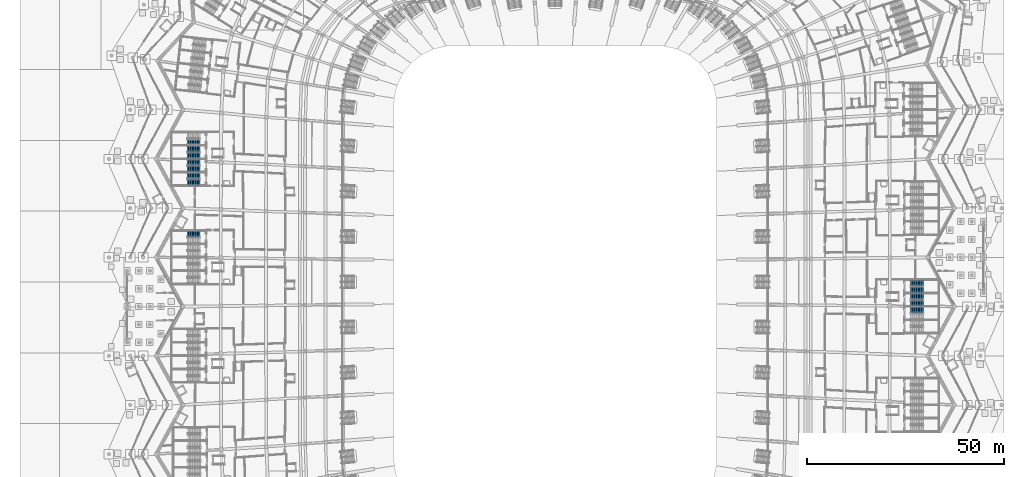
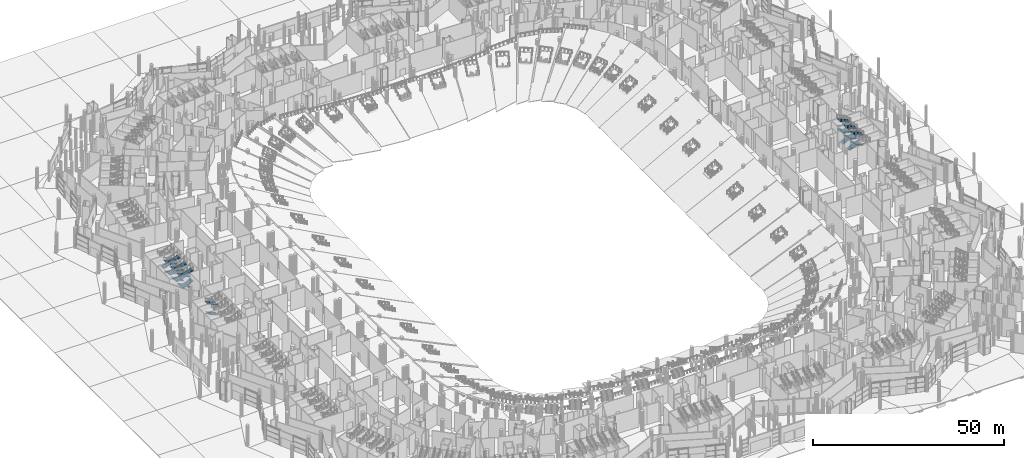
# One storey, part 171 of 255: 25 stair flights, 8 elements without a shape of their own.
"""IFC4 building model written with IfcOpenShell, lengths in metres."""

from ifc_helpers import new_model, si_unit, direction, frame, origin, place, context, subcontext, project, spatial, polyline, outline, extrude, material, type_object, element, aggregate, save


model = new_model("IFC4")

# Units and contexts
model_context = context("Model", 3, precision=1e-05, world=origin(), true_north=direction((0.0, 1.0)))
body_context = subcontext(model_context, "Body", "Model", "MODEL_VIEW")
ifc_project = project(units=[si_unit("LENGTHUNIT", "METRE"), si_unit("AREAUNIT", "SQUARE_METRE"), si_unit("VOLUMEUNIT", "CUBIC_METRE"), si_unit("PLANEANGLEUNIT", "RADIAN"), si_unit("MASSUNIT", "GRAM", prefix="KILO")], contexts=[model_context])

# Site, building, storey
site_placement = place(None, origin())
site = spatial("IfcSite", under=ifc_project, at=site_placement, CompositionType="ELEMENT")
building_placement = place(site_placement, origin())
building = spatial("IfcBuilding", under=site, at=building_placement, Name="Meseta Stadium", CompositionType="ELEMENT")
storey_placement = place(building_placement, origin())
storey = spatial("IfcBuildingStorey", under=building, at=storey_placement, Name="L00", CompositionType="ELEMENT", Elevation=0.0)

# Stair, stair flights
ifc_material_1 = material(Name="Concrete C40/50", Category="concrete")
stair_type = type_object("IfcStairType", Name="Exit stair 4 flights 148 mm risers", PredefinedType="HALF_TURN_STAIR", material=ifc_material_1)
stair_1_placement = place(storey_placement, origin())
stair_1 = element("IfcStair", 1, at=stair_1_placement, inside=storey, type_object=stair_type, Name="ST10 L00", PredefinedType="HALF_TURN_STAIR")
ifc_material_2 = material(Name="Concrete C40/50", Category="concrete")
stair_flight_type = type_object("IfcStairFlightType", Name="Exit stair flight 148 mm risers, 4 per storey", PredefinedType="STRAIGHT", material=ifc_material_2)
stair_flight_1_placement = place(storey_placement, frame((93.5, -7.10009765625, 1.625), z_axis=(0.0, 0.0, 1.0), x_axis=(-1.0, 0.0, 0.0)))
stair_flight_1 = element("IfcStairFlight", 2, at=stair_flight_1_placement, type_object=stair_flight_type, Name="ST10 L00 flight 2", NumberOfRisers=11, NumberOfTreads=10, PredefinedType="STRAIGHT", RiserHeight=0.147727273, TreadLength=0.32, context=body_context, shape_type="SweptSolid", body=[
    extrude(outline(polyline([(0.0, 0.0), (0.0, 0.147705078125), (0.320068359375, 0.147705078125), (0.320068359375, 0.29541015625), (0.639892578125, 0.29541015625), (0.639892578125, 0.443115234375), (0.9599609375, 0.443115234375), (0.9599609375, 0.5908203125), (1.280029296875, 0.5908203125), (1.280029296875, 0.738525390625), (1.60009765625, 0.738525390625), (1.60009765625, 0.886474609375), (1.919921875, 0.886474609375), (1.919921875, 1.0341796875), (2.239990234375, 1.0341796875), (2.239990234375, 1.181884765625), (2.56005859375, 1.181884765625), (2.56005859375, 1.32958984375), (2.8798828125, 1.32958984375), (2.8798828125, 1.477294921875), (3.199951171875, 1.477294921875), (3.199951171875, 1.312255859375), (0.357666015625, 0.0), (0.0, 0.0)])), frame((0.0, 0.75, 0.0), z_axis=(0.0, -1.0, 0.0), x_axis=(1.0, 0.0, 0.0)), (0.0, 0.0, 1.0), 1.5),
])
stair_flight_2_placement = place(storey_placement, frame((93.5, -7.10009765625, 4.875), z_axis=(0.0, 0.0, 1.0), x_axis=(-1.0, 0.0, 0.0)))
stair_flight_2 = element("IfcStairFlight", 3, at=stair_flight_2_placement, type_object=stair_flight_type, Name="ST10 L00 flight 4", NumberOfRisers=11, NumberOfTreads=10, PredefinedType="STRAIGHT", RiserHeight=0.147727273, TreadLength=0.32, context=body_context, shape_type="SweptSolid", body=[
    extrude(outline(polyline([(0.0, 0.0), (0.0, 0.147705078125), (0.320068359375, 0.147705078125), (0.320068359375, 0.29541015625), (0.639892578125, 0.29541015625), (0.639892578125, 0.443115234375), (0.9599609375, 0.443115234375), (0.9599609375, 0.5908203125), (1.280029296875, 0.5908203125), (1.280029296875, 0.738525390625), (1.60009765625, 0.738525390625), (1.60009765625, 0.886474609375), (1.919921875, 0.886474609375), (1.919921875, 1.0341796875), (2.239990234375, 1.0341796875), (2.239990234375, 1.181884765625), (2.56005859375, 1.181884765625), (2.56005859375, 1.32958984375), (2.8798828125, 1.32958984375), (2.8798828125, 1.477294921875), (3.199951171875, 1.477294921875), (3.199951171875, 1.312255859375), (0.357666015625, 0.0), (0.0, 0.0)])), frame((0.0, 0.75, 0.0), z_axis=(0.0, -1.0, 0.0), x_axis=(1.0, 0.0, 0.0)), (0.0, 0.0, 1.0), 1.5),
])
aggregate(stair_1, [stair_flight_1, stair_flight_2])

stair_2_placement = place(storey_placement, origin())
stair_2 = element("IfcStair", 4, at=stair_2_placement, inside=storey, type_object=stair_type, Name="ST11 L00", PredefinedType="HALF_TURN_STAIR")
stair_flight_3_placement = place(storey_placement, frame((90.300048828125, -5.39990234375, 0.0), z_axis=(0.0, 0.0, 1.0), x_axis=(1.0, 0.0, 0.0)))
stair_flight_3 = element("IfcStairFlight", 5, at=stair_flight_3_placement, type_object=stair_flight_type, Name="ST11 L00 flight 1", NumberOfRisers=11, NumberOfTreads=10, PredefinedType="STRAIGHT", RiserHeight=0.147727273, TreadLength=0.32, context=body_context, shape_type="SweptSolid", body=[
    extrude(outline(polyline([(0.0, 0.0), (0.0, 0.147705078125), (0.320068359375, 0.147705078125), (0.320068359375, 0.29541015625), (0.639892578125, 0.29541015625), (0.639892578125, 0.443115234375), (0.9599609375, 0.443115234375), (0.9599609375, 0.5908203125), (1.280029296875, 0.5908203125), (1.280029296875, 0.738525390625), (1.60009765625, 0.738525390625), (1.60009765625, 0.886474609375), (1.919921875, 0.886474609375), (1.919921875, 1.0341796875), (2.239990234375, 1.0341796875), (2.239990234375, 1.181884765625), (2.56005859375, 1.181884765625), (2.56005859375, 1.32958984375), (2.8798828125, 1.32958984375), (2.8798828125, 1.477294921875), (3.199951171875, 1.477294921875), (3.199951171875, 1.312255859375), (0.357666015625, 0.0), (0.0, 0.0)])), frame((0.0, 0.75, 0.0), z_axis=(0.0, -1.0, 0.0), x_axis=(1.0, 0.0, 0.0)), (0.0, 0.0, 1.0), 1.5),
])
stair_flight_4_placement = place(storey_placement, frame((93.5, -3.699951171875, 1.625), z_axis=(0.0, 0.0, 1.0), x_axis=(-1.0, 0.0, 0.0)))
stair_flight_4 = element("IfcStairFlight", 6, at=stair_flight_4_placement, type_object=stair_flight_type, Name="ST11 L00 flight 2", NumberOfRisers=11, NumberOfTreads=10, PredefinedType="STRAIGHT", RiserHeight=0.147727273, TreadLength=0.32, context=body_context, shape_type="SweptSolid", body=[
    extrude(outline(polyline([(0.0, 0.0), (0.0, 0.147705078125), (0.320068359375, 0.147705078125), (0.320068359375, 0.29541015625), (0.639892578125, 0.29541015625), (0.639892578125, 0.443115234375), (0.9599609375, 0.443115234375), (0.9599609375, 0.5908203125), (1.280029296875, 0.5908203125), (1.280029296875, 0.738525390625), (1.60009765625, 0.738525390625), (1.60009765625, 0.886474609375), (1.919921875, 0.886474609375), (1.919921875, 1.0341796875), (2.239990234375, 1.0341796875), (2.239990234375, 1.181884765625), (2.56005859375, 1.181884765625), (2.56005859375, 1.32958984375), (2.8798828125, 1.32958984375), (2.8798828125, 1.477294921875), (3.199951171875, 1.477294921875), (3.199951171875, 1.312255859375), (0.357666015625, 0.0), (0.0, 0.0)])), frame((0.0, 0.75, 0.0), z_axis=(0.0, -1.0, 0.0), x_axis=(1.0, 0.0, 0.0)), (0.0, 0.0, 1.0), 1.5),
])
stair_flight_5_placement = place(storey_placement, frame((90.300048828125, -5.39990234375, 3.25), z_axis=(0.0, 0.0, 1.0), x_axis=(1.0, 0.0, 0.0)))
stair_flight_5 = element("IfcStairFlight", 7, at=stair_flight_5_placement, type_object=stair_flight_type, Name="ST11 L00 flight 3", NumberOfRisers=11, NumberOfTreads=10, PredefinedType="STRAIGHT", RiserHeight=0.147727273, TreadLength=0.32, context=body_context, shape_type="SweptSolid", body=[
    extrude(outline(polyline([(0.0, 0.0), (0.0, 0.147705078125), (0.320068359375, 0.147705078125), (0.320068359375, 0.29541015625), (0.639892578125, 0.29541015625), (0.639892578125, 0.443115234375), (0.9599609375, 0.443115234375), (0.9599609375, 0.5908203125), (1.280029296875, 0.5908203125), (1.280029296875, 0.738525390625), (1.60009765625, 0.738525390625), (1.60009765625, 0.886474609375), (1.919921875, 0.886474609375), (1.919921875, 1.0341796875), (2.239990234375, 1.0341796875), (2.239990234375, 1.181884765625), (2.56005859375, 1.181884765625), (2.56005859375, 1.32958984375), (2.8798828125, 1.32958984375), (2.8798828125, 1.477294921875), (3.199951171875, 1.477294921875), (3.199951171875, 1.312255859375), (0.357666015625, 0.0), (0.0, 0.0)])), frame((0.0, 0.75, 0.0), z_axis=(0.0, -1.0, 0.0), x_axis=(1.0, 0.0, 0.0)), (0.0, 0.0, 1.0), 1.5),
])
stair_flight_6_placement = place(storey_placement, frame((93.5, -3.699951171875, 4.875), z_axis=(0.0, 0.0, 1.0), x_axis=(-1.0, 0.0, 0.0)))
stair_flight_6 = element("IfcStairFlight", 8, at=stair_flight_6_placement, type_object=stair_flight_type, Name="ST11 L00 flight 4", NumberOfRisers=11, NumberOfTreads=10, PredefinedType="STRAIGHT", RiserHeight=0.147727273, TreadLength=0.32, context=body_context, shape_type="SweptSolid", body=[
    extrude(outline(polyline([(0.0, 0.0), (0.0, 0.147705078125), (0.320068359375, 0.147705078125), (0.320068359375, 0.29541015625), (0.639892578125, 0.29541015625), (0.639892578125, 0.443115234375), (0.9599609375, 0.443115234375), (0.9599609375, 0.5908203125), (1.280029296875, 0.5908203125), (1.280029296875, 0.738525390625), (1.60009765625, 0.738525390625), (1.60009765625, 0.886474609375), (1.919921875, 0.886474609375), (1.919921875, 1.0341796875), (2.239990234375, 1.0341796875), (2.239990234375, 1.181884765625), (2.56005859375, 1.181884765625), (2.56005859375, 1.32958984375), (2.8798828125, 1.32958984375), (2.8798828125, 1.477294921875), (3.199951171875, 1.477294921875), (3.199951171875, 1.312255859375), (0.357666015625, 0.0), (0.0, 0.0)])), frame((0.0, 0.75, 0.0), z_axis=(0.0, -1.0, 0.0), x_axis=(1.0, 0.0, 0.0)), (0.0, 0.0, 1.0), 1.5),
])
aggregate(stair_2, [stair_flight_3, stair_flight_4, stair_flight_5, stair_flight_6])

stair_3_placement = place(storey_placement, origin())
stair_3 = element("IfcStair", 9, at=stair_3_placement, inside=storey, type_object=stair_type, Name="ST12 L00", PredefinedType="HALF_TURN_STAIR")
stair_flight_7_placement = place(storey_placement, frame((90.300048828125, -2.0, 0.0), z_axis=(0.0, 0.0, 1.0), x_axis=(1.0, 0.0, 0.0)))
stair_flight_7 = element("IfcStairFlight", 10, at=stair_flight_7_placement, type_object=stair_flight_type, Name="ST12 L00 flight 1", NumberOfRisers=11, NumberOfTreads=10, PredefinedType="STRAIGHT", RiserHeight=0.147727273, TreadLength=0.32, context=body_context, shape_type="SweptSolid", body=[
    extrude(outline(polyline([(0.0, 0.0), (0.0, 0.147705078125), (0.320068359375, 0.147705078125), (0.320068359375, 0.29541015625), (0.639892578125, 0.29541015625), (0.639892578125, 0.443115234375), (0.9599609375, 0.443115234375), (0.9599609375, 0.5908203125), (1.280029296875, 0.5908203125), (1.280029296875, 0.738525390625), (1.60009765625, 0.738525390625), (1.60009765625, 0.886474609375), (1.919921875, 0.886474609375), (1.919921875, 1.0341796875), (2.239990234375, 1.0341796875), (2.239990234375, 1.181884765625), (2.56005859375, 1.181884765625), (2.56005859375, 1.32958984375), (2.8798828125, 1.32958984375), (2.8798828125, 1.477294921875), (3.199951171875, 1.477294921875), (3.199951171875, 1.312255859375), (0.357666015625, 0.0), (0.0, 0.0)])), frame((0.0, 0.75, 0.0), z_axis=(0.0, -1.0, 0.0), x_axis=(1.0, 0.0, 0.0)), (0.0, 0.0, 1.0), 1.5),
])
stair_flight_8_placement = place(storey_placement, frame((93.5, -0.300048828125, 1.625), z_axis=(0.0, 0.0, 1.0), x_axis=(-1.0, 0.0, 0.0)))
stair_flight_8 = element("IfcStairFlight", 11, at=stair_flight_8_placement, type_object=stair_flight_type, Name="ST12 L00 flight 2", NumberOfRisers=11, NumberOfTreads=10, PredefinedType="STRAIGHT", RiserHeight=0.147727273, TreadLength=0.32, context=body_context, shape_type="SweptSolid", body=[
    extrude(outline(polyline([(0.0, 0.0), (0.0, 0.147705078125), (0.320068359375, 0.147705078125), (0.320068359375, 0.29541015625), (0.639892578125, 0.29541015625), (0.639892578125, 0.443115234375), (0.9599609375, 0.443115234375), (0.9599609375, 0.5908203125), (1.280029296875, 0.5908203125), (1.280029296875, 0.738525390625), (1.60009765625, 0.738525390625), (1.60009765625, 0.886474609375), (1.919921875, 0.886474609375), (1.919921875, 1.0341796875), (2.239990234375, 1.0341796875), (2.239990234375, 1.181884765625), (2.56005859375, 1.181884765625), (2.56005859375, 1.32958984375), (2.8798828125, 1.32958984375), (2.8798828125, 1.477294921875), (3.199951171875, 1.477294921875), (3.199951171875, 1.312255859375), (0.357666015625, 0.0), (0.0, 0.0)])), frame((0.0, 0.75, 0.0), z_axis=(0.0, -1.0, 0.0), x_axis=(1.0, 0.0, 0.0)), (0.0, 0.0, 1.0), 1.5),
])
stair_flight_9_placement = place(storey_placement, frame((90.300048828125, -2.0, 3.25), z_axis=(0.0, 0.0, 1.0), x_axis=(1.0, 0.0, 0.0)))
stair_flight_9 = element("IfcStairFlight", 12, at=stair_flight_9_placement, type_object=stair_flight_type, Name="ST12 L00 flight 3", NumberOfRisers=11, NumberOfTreads=10, PredefinedType="STRAIGHT", RiserHeight=0.147727273, TreadLength=0.32, context=body_context, shape_type="SweptSolid", body=[
    extrude(outline(polyline([(0.0, 0.0), (0.0, 0.147705078125), (0.320068359375, 0.147705078125), (0.320068359375, 0.29541015625), (0.639892578125, 0.29541015625), (0.639892578125, 0.443115234375), (0.9599609375, 0.443115234375), (0.9599609375, 0.5908203125), (1.280029296875, 0.5908203125), (1.280029296875, 0.738525390625), (1.60009765625, 0.738525390625), (1.60009765625, 0.886474609375), (1.919921875, 0.886474609375), (1.919921875, 1.0341796875), (2.239990234375, 1.0341796875), (2.239990234375, 1.181884765625), (2.56005859375, 1.181884765625), (2.56005859375, 1.32958984375), (2.8798828125, 1.32958984375), (2.8798828125, 1.477294921875), (3.199951171875, 1.477294921875), (3.199951171875, 1.312255859375), (0.357666015625, 0.0), (0.0, 0.0)])), frame((0.0, 0.75, 0.0), z_axis=(0.0, -1.0, 0.0), x_axis=(1.0, 0.0, 0.0)), (0.0, 0.0, 1.0), 1.5),
])
stair_flight_10_placement = place(storey_placement, frame((93.5, -0.300048828125, 4.875), z_axis=(0.0, 0.0, 1.0), x_axis=(-1.0, 0.0, 0.0)))
stair_flight_10 = element("IfcStairFlight", 13, at=stair_flight_10_placement, type_object=stair_flight_type, Name="ST12 L00 flight 4", NumberOfRisers=11, NumberOfTreads=10, PredefinedType="STRAIGHT", RiserHeight=0.147727273, TreadLength=0.32, context=body_context, shape_type="SweptSolid", body=[
    extrude(outline(polyline([(0.0, 0.0), (0.0, 0.147705078125), (0.320068359375, 0.147705078125), (0.320068359375, 0.29541015625), (0.639892578125, 0.29541015625), (0.639892578125, 0.443115234375), (0.9599609375, 0.443115234375), (0.9599609375, 0.5908203125), (1.280029296875, 0.5908203125), (1.280029296875, 0.738525390625), (1.60009765625, 0.738525390625), (1.60009765625, 0.886474609375), (1.919921875, 0.886474609375), (1.919921875, 1.0341796875), (2.239990234375, 1.0341796875), (2.239990234375, 1.181884765625), (2.56005859375, 1.181884765625), (2.56005859375, 1.32958984375), (2.8798828125, 1.32958984375), (2.8798828125, 1.477294921875), (3.199951171875, 1.477294921875), (3.199951171875, 1.312255859375), (0.357666015625, 0.0), (0.0, 0.0)])), frame((0.0, 0.75, 0.0), z_axis=(0.0, -1.0, 0.0), x_axis=(1.0, 0.0, 0.0)), (0.0, 0.0, 1.0), 1.5),
])
aggregate(stair_3, [stair_flight_7, stair_flight_8, stair_flight_9, stair_flight_10])

# Stair, stair flight
stair_4_placement = place(storey_placement, origin())
stair_4 = element("IfcStair", 14, at=stair_4_placement, inside=storey, type_object=stair_type, Name="ST61 L00", PredefinedType="HALF_TURN_STAIR")
stair_flight_11_placement = place(storey_placement, frame((-93.5, 35.5, 1.625), z_axis=(0.0, 0.0, 1.0), x_axis=(1.0, 0.0, 0.0)))
stair_flight_11 = element("IfcStairFlight", 15, at=stair_flight_11_placement, type_object=stair_flight_type, Name="ST61 L00 flight 2", NumberOfRisers=11, NumberOfTreads=10, PredefinedType="STRAIGHT", RiserHeight=0.147727273, TreadLength=0.32, context=body_context, shape_type="SweptSolid", body=[
    extrude(outline(polyline([(0.0, 0.0), (0.0, 0.147705078125), (0.320068359375, 0.147705078125), (0.320068359375, 0.29541015625), (0.639892578125, 0.29541015625), (0.639892578125, 0.443115234375), (0.9599609375, 0.443115234375), (0.9599609375, 0.5908203125), (1.280029296875, 0.5908203125), (1.280029296875, 0.738525390625), (1.60009765625, 0.738525390625), (1.60009765625, 0.886474609375), (1.919921875, 0.886474609375), (1.919921875, 1.0341796875), (2.239990234375, 1.0341796875), (2.239990234375, 1.181884765625), (2.56005859375, 1.181884765625), (2.56005859375, 1.32958984375), (2.8798828125, 1.32958984375), (2.8798828125, 1.477294921875), (3.199951171875, 1.477294921875), (3.199951171875, 1.312255859375), (0.357666015625, 0.0), (0.0, 0.0)])), frame((0.0, 0.75, 0.0), z_axis=(0.0, -1.0, 0.0), x_axis=(1.0, 0.0, 0.0)), (0.0, 0.0, 1.0), 1.5),
])
aggregate(stair_4, [stair_flight_11])

# Stair, stair flights
stair_5_placement = place(storey_placement, origin())
stair_5 = element("IfcStair", 16, at=stair_5_placement, inside=storey, type_object=stair_type, Name="ST62 L00", PredefinedType="HALF_TURN_STAIR")
stair_flight_12_placement = place(storey_placement, frame((-90.300048828125, 33.800048828125, 0.0), z_axis=(0.0, 0.0, 1.0), x_axis=(-1.0, 0.0, 0.0)))
stair_flight_12 = element("IfcStairFlight", 17, at=stair_flight_12_placement, type_object=stair_flight_type, Name="ST62 L00 flight 1", NumberOfRisers=11, NumberOfTreads=10, PredefinedType="STRAIGHT", RiserHeight=0.147727273, TreadLength=0.32, context=body_context, shape_type="SweptSolid", body=[
    extrude(outline(polyline([(0.0, 0.0), (0.0, 0.147705078125), (0.320068359375, 0.147705078125), (0.320068359375, 0.29541015625), (0.639892578125, 0.29541015625), (0.639892578125, 0.443115234375), (0.9599609375, 0.443115234375), (0.9599609375, 0.5908203125), (1.280029296875, 0.5908203125), (1.280029296875, 0.738525390625), (1.60009765625, 0.738525390625), (1.60009765625, 0.886474609375), (1.919921875, 0.886474609375), (1.919921875, 1.0341796875), (2.239990234375, 1.0341796875), (2.239990234375, 1.181884765625), (2.56005859375, 1.181884765625), (2.56005859375, 1.32958984375), (2.8798828125, 1.32958984375), (2.8798828125, 1.477294921875), (3.199951171875, 1.477294921875), (3.199951171875, 1.312255859375), (0.357666015625, 0.0), (0.0, 0.0)])), frame((0.0, 0.75, 0.0), z_axis=(0.0, -1.0, 0.0), x_axis=(1.0, 0.0, 0.0)), (0.0, 0.0, 1.0), 1.5),
])
stair_flight_13_placement = place(storey_placement, frame((-93.5, 32.10009765625, 1.625), z_axis=(0.0, 0.0, 1.0), x_axis=(1.0, 0.0, 0.0)))
stair_flight_13 = element("IfcStairFlight", 18, at=stair_flight_13_placement, type_object=stair_flight_type, Name="ST62 L00 flight 2", NumberOfRisers=11, NumberOfTreads=10, PredefinedType="STRAIGHT", RiserHeight=0.147727273, TreadLength=0.32, context=body_context, shape_type="SweptSolid", body=[
    extrude(outline(polyline([(0.0, 0.0), (0.0, 0.147705078125), (0.320068359375, 0.147705078125), (0.320068359375, 0.29541015625), (0.639892578125, 0.29541015625), (0.639892578125, 0.443115234375), (0.9599609375, 0.443115234375), (0.9599609375, 0.5908203125), (1.280029296875, 0.5908203125), (1.280029296875, 0.738525390625), (1.60009765625, 0.738525390625), (1.60009765625, 0.886474609375), (1.919921875, 0.886474609375), (1.919921875, 1.0341796875), (2.239990234375, 1.0341796875), (2.239990234375, 1.181884765625), (2.56005859375, 1.181884765625), (2.56005859375, 1.32958984375), (2.8798828125, 1.32958984375), (2.8798828125, 1.477294921875), (3.199951171875, 1.477294921875), (3.199951171875, 1.312255859375), (0.357666015625, 0.0), (0.0, 0.0)])), frame((0.0, 0.75, 0.0), z_axis=(0.0, -1.0, 0.0), x_axis=(1.0, 0.0, 0.0)), (0.0, 0.0, 1.0), 1.5),
])
stair_flight_14_placement = place(storey_placement, frame((-90.300048828125, 33.800048828125, 3.25), z_axis=(0.0, 0.0, 1.0), x_axis=(-1.0, 0.0, 0.0)))
stair_flight_14 = element("IfcStairFlight", 19, at=stair_flight_14_placement, type_object=stair_flight_type, Name="ST62 L00 flight 3", NumberOfRisers=11, NumberOfTreads=10, PredefinedType="STRAIGHT", RiserHeight=0.147727273, TreadLength=0.32, context=body_context, shape_type="SweptSolid", body=[
    extrude(outline(polyline([(0.0, 0.0), (0.0, 0.147705078125), (0.320068359375, 0.147705078125), (0.320068359375, 0.29541015625), (0.639892578125, 0.29541015625), (0.639892578125, 0.443115234375), (0.9599609375, 0.443115234375), (0.9599609375, 0.5908203125), (1.280029296875, 0.5908203125), (1.280029296875, 0.738525390625), (1.60009765625, 0.738525390625), (1.60009765625, 0.886474609375), (1.919921875, 0.886474609375), (1.919921875, 1.0341796875), (2.239990234375, 1.0341796875), (2.239990234375, 1.181884765625), (2.56005859375, 1.181884765625), (2.56005859375, 1.32958984375), (2.8798828125, 1.32958984375), (2.8798828125, 1.477294921875), (3.199951171875, 1.477294921875), (3.199951171875, 1.312255859375), (0.357666015625, 0.0), (0.0, 0.0)])), frame((0.0, 0.75, 0.0), z_axis=(0.0, -1.0, 0.0), x_axis=(1.0, 0.0, 0.0)), (0.0, 0.0, 1.0), 1.5),
])
stair_flight_15_placement = place(storey_placement, frame((-93.5, 32.10009765625, 4.875), z_axis=(0.0, 0.0, 1.0), x_axis=(1.0, 0.0, 0.0)))
stair_flight_15 = element("IfcStairFlight", 20, at=stair_flight_15_placement, type_object=stair_flight_type, Name="ST62 L00 flight 4", NumberOfRisers=11, NumberOfTreads=10, PredefinedType="STRAIGHT", RiserHeight=0.147727273, TreadLength=0.32, context=body_context, shape_type="SweptSolid", body=[
    extrude(outline(polyline([(0.0, 0.0), (0.0, 0.147705078125), (0.320068359375, 0.147705078125), (0.320068359375, 0.29541015625), (0.639892578125, 0.29541015625), (0.639892578125, 0.443115234375), (0.9599609375, 0.443115234375), (0.9599609375, 0.5908203125), (1.280029296875, 0.5908203125), (1.280029296875, 0.738525390625), (1.60009765625, 0.738525390625), (1.60009765625, 0.886474609375), (1.919921875, 0.886474609375), (1.919921875, 1.0341796875), (2.239990234375, 1.0341796875), (2.239990234375, 1.181884765625), (2.56005859375, 1.181884765625), (2.56005859375, 1.32958984375), (2.8798828125, 1.32958984375), (2.8798828125, 1.477294921875), (3.199951171875, 1.477294921875), (3.199951171875, 1.312255859375), (0.357666015625, 0.0), (0.0, 0.0)])), frame((0.0, 0.75, 0.0), z_axis=(0.0, -1.0, 0.0), x_axis=(1.0, 0.0, 0.0)), (0.0, 0.0, 1.0), 1.5),
])
aggregate(stair_5, [stair_flight_12, stair_flight_13, stair_flight_14, stair_flight_15])

stair_6_placement = place(storey_placement, origin())
stair_6 = element("IfcStair", 21, at=stair_6_placement, inside=storey, type_object=stair_type, Name="ST63 L00", PredefinedType="HALF_TURN_STAIR")
stair_flight_16_placement = place(storey_placement, frame((-90.300048828125, 30.39990234375, 0.0), z_axis=(0.0, 0.0, 1.0), x_axis=(-1.0, 0.0, 0.0)))
stair_flight_16 = element("IfcStairFlight", 22, at=stair_flight_16_placement, type_object=stair_flight_type, Name="ST63 L00 flight 1", NumberOfRisers=11, NumberOfTreads=10, PredefinedType="STRAIGHT", RiserHeight=0.147727273, TreadLength=0.32, context=body_context, shape_type="SweptSolid", body=[
    extrude(outline(polyline([(0.0, 0.0), (0.0, 0.147705078125), (0.320068359375, 0.147705078125), (0.320068359375, 0.29541015625), (0.639892578125, 0.29541015625), (0.639892578125, 0.443115234375), (0.9599609375, 0.443115234375), (0.9599609375, 0.5908203125), (1.280029296875, 0.5908203125), (1.280029296875, 0.738525390625), (1.60009765625, 0.738525390625), (1.60009765625, 0.886474609375), (1.919921875, 0.886474609375), (1.919921875, 1.0341796875), (2.239990234375, 1.0341796875), (2.239990234375, 1.181884765625), (2.56005859375, 1.181884765625), (2.56005859375, 1.32958984375), (2.8798828125, 1.32958984375), (2.8798828125, 1.477294921875), (3.199951171875, 1.477294921875), (3.199951171875, 1.312255859375), (0.357666015625, 0.0), (0.0, 0.0)])), frame((0.0, 0.75, 0.0), z_axis=(0.0, -1.0, 0.0), x_axis=(1.0, 0.0, 0.0)), (0.0, 0.0, 1.0), 1.5),
])
stair_flight_17_placement = place(storey_placement, frame((-93.5, 28.699951171875, 1.625), z_axis=(0.0, 0.0, 1.0), x_axis=(1.0, 0.0, 0.0)))
stair_flight_17 = element("IfcStairFlight", 23, at=stair_flight_17_placement, type_object=stair_flight_type, Name="ST63 L00 flight 2", NumberOfRisers=11, NumberOfTreads=10, PredefinedType="STRAIGHT", RiserHeight=0.147727273, TreadLength=0.32, context=body_context, shape_type="SweptSolid", body=[
    extrude(outline(polyline([(0.0, 0.0), (0.0, 0.147705078125), (0.320068359375, 0.147705078125), (0.320068359375, 0.29541015625), (0.639892578125, 0.29541015625), (0.639892578125, 0.443115234375), (0.9599609375, 0.443115234375), (0.9599609375, 0.5908203125), (1.280029296875, 0.5908203125), (1.280029296875, 0.738525390625), (1.60009765625, 0.738525390625), (1.60009765625, 0.886474609375), (1.919921875, 0.886474609375), (1.919921875, 1.0341796875), (2.239990234375, 1.0341796875), (2.239990234375, 1.181884765625), (2.56005859375, 1.181884765625), (2.56005859375, 1.32958984375), (2.8798828125, 1.32958984375), (2.8798828125, 1.477294921875), (3.199951171875, 1.477294921875), (3.199951171875, 1.312255859375), (0.357666015625, 0.0), (0.0, 0.0)])), frame((0.0, 0.75, 0.0), z_axis=(0.0, -1.0, 0.0), x_axis=(1.0, 0.0, 0.0)), (0.0, 0.0, 1.0), 1.5),
])
stair_flight_18_placement = place(storey_placement, frame((-90.300048828125, 30.39990234375, 3.25), z_axis=(0.0, 0.0, 1.0), x_axis=(-1.0, 0.0, 0.0)))
stair_flight_18 = element("IfcStairFlight", 24, at=stair_flight_18_placement, type_object=stair_flight_type, Name="ST63 L00 flight 3", NumberOfRisers=11, NumberOfTreads=10, PredefinedType="STRAIGHT", RiserHeight=0.147727273, TreadLength=0.32, context=body_context, shape_type="SweptSolid", body=[
    extrude(outline(polyline([(0.0, 0.0), (0.0, 0.147705078125), (0.320068359375, 0.147705078125), (0.320068359375, 0.29541015625), (0.639892578125, 0.29541015625), (0.639892578125, 0.443115234375), (0.9599609375, 0.443115234375), (0.9599609375, 0.5908203125), (1.280029296875, 0.5908203125), (1.280029296875, 0.738525390625), (1.60009765625, 0.738525390625), (1.60009765625, 0.886474609375), (1.919921875, 0.886474609375), (1.919921875, 1.0341796875), (2.239990234375, 1.0341796875), (2.239990234375, 1.181884765625), (2.56005859375, 1.181884765625), (2.56005859375, 1.32958984375), (2.8798828125, 1.32958984375), (2.8798828125, 1.477294921875), (3.199951171875, 1.477294921875), (3.199951171875, 1.312255859375), (0.357666015625, 0.0), (0.0, 0.0)])), frame((0.0, 0.75, 0.0), z_axis=(0.0, -1.0, 0.0), x_axis=(1.0, 0.0, 0.0)), (0.0, 0.0, 1.0), 1.5),
])
stair_flight_19_placement = place(storey_placement, frame((-93.5, 28.699951171875, 4.875), z_axis=(0.0, 0.0, 1.0), x_axis=(1.0, 0.0, 0.0)))
stair_flight_19 = element("IfcStairFlight", 25, at=stair_flight_19_placement, type_object=stair_flight_type, Name="ST63 L00 flight 4", NumberOfRisers=11, NumberOfTreads=10, PredefinedType="STRAIGHT", RiserHeight=0.147727273, TreadLength=0.32, context=body_context, shape_type="SweptSolid", body=[
    extrude(outline(polyline([(0.0, 0.0), (0.0, 0.147705078125), (0.320068359375, 0.147705078125), (0.320068359375, 0.29541015625), (0.639892578125, 0.29541015625), (0.639892578125, 0.443115234375), (0.9599609375, 0.443115234375), (0.9599609375, 0.5908203125), (1.280029296875, 0.5908203125), (1.280029296875, 0.738525390625), (1.60009765625, 0.738525390625), (1.60009765625, 0.886474609375), (1.919921875, 0.886474609375), (1.919921875, 1.0341796875), (2.239990234375, 1.0341796875), (2.239990234375, 1.181884765625), (2.56005859375, 1.181884765625), (2.56005859375, 1.32958984375), (2.8798828125, 1.32958984375), (2.8798828125, 1.477294921875), (3.199951171875, 1.477294921875), (3.199951171875, 1.312255859375), (0.357666015625, 0.0), (0.0, 0.0)])), frame((0.0, 0.75, 0.0), z_axis=(0.0, -1.0, 0.0), x_axis=(1.0, 0.0, 0.0)), (0.0, 0.0, 1.0), 1.5),
])
aggregate(stair_6, [stair_flight_16, stair_flight_17, stair_flight_18, stair_flight_19])

stair_7_placement = place(storey_placement, origin())
stair_7 = element("IfcStair", 26, at=stair_7_placement, inside=storey, type_object=stair_type, Name="ST64 L00", PredefinedType="HALF_TURN_STAIR")
stair_flight_20_placement = place(storey_placement, frame((-90.300048828125, 27.0, 0.0), z_axis=(0.0, 0.0, 1.0), x_axis=(-1.0, 0.0, 0.0)))
stair_flight_20 = element("IfcStairFlight", 27, at=stair_flight_20_placement, type_object=stair_flight_type, Name="ST64 L00 flight 1", NumberOfRisers=11, NumberOfTreads=10, PredefinedType="STRAIGHT", RiserHeight=0.147727273, TreadLength=0.32, context=body_context, shape_type="SweptSolid", body=[
    extrude(outline(polyline([(0.0, 0.0), (0.0, 0.147705078125), (0.320068359375, 0.147705078125), (0.320068359375, 0.29541015625), (0.639892578125, 0.29541015625), (0.639892578125, 0.443115234375), (0.9599609375, 0.443115234375), (0.9599609375, 0.5908203125), (1.280029296875, 0.5908203125), (1.280029296875, 0.738525390625), (1.60009765625, 0.738525390625), (1.60009765625, 0.886474609375), (1.919921875, 0.886474609375), (1.919921875, 1.0341796875), (2.239990234375, 1.0341796875), (2.239990234375, 1.181884765625), (2.56005859375, 1.181884765625), (2.56005859375, 1.32958984375), (2.8798828125, 1.32958984375), (2.8798828125, 1.477294921875), (3.199951171875, 1.477294921875), (3.199951171875, 1.312255859375), (0.357666015625, 0.0), (0.0, 0.0)])), frame((0.0, 0.75, 0.0), z_axis=(0.0, -1.0, 0.0), x_axis=(1.0, 0.0, 0.0)), (0.0, 0.0, 1.0), 1.5),
])
stair_flight_21_placement = place(storey_placement, frame((-93.5, 25.300048828125, 1.625), z_axis=(0.0, 0.0, 1.0), x_axis=(1.0, 0.0, 0.0)))
stair_flight_21 = element("IfcStairFlight", 28, at=stair_flight_21_placement, type_object=stair_flight_type, Name="ST64 L00 flight 2", NumberOfRisers=11, NumberOfTreads=10, PredefinedType="STRAIGHT", RiserHeight=0.147727273, TreadLength=0.32, context=body_context, shape_type="SweptSolid", body=[
    extrude(outline(polyline([(0.0, 0.0), (0.0, 0.147705078125), (0.320068359375, 0.147705078125), (0.320068359375, 0.29541015625), (0.639892578125, 0.29541015625), (0.639892578125, 0.443115234375), (0.9599609375, 0.443115234375), (0.9599609375, 0.5908203125), (1.280029296875, 0.5908203125), (1.280029296875, 0.738525390625), (1.60009765625, 0.738525390625), (1.60009765625, 0.886474609375), (1.919921875, 0.886474609375), (1.919921875, 1.0341796875), (2.239990234375, 1.0341796875), (2.239990234375, 1.181884765625), (2.56005859375, 1.181884765625), (2.56005859375, 1.32958984375), (2.8798828125, 1.32958984375), (2.8798828125, 1.477294921875), (3.199951171875, 1.477294921875), (3.199951171875, 1.312255859375), (0.357666015625, 0.0), (0.0, 0.0)])), frame((0.0, 0.75, 0.0), z_axis=(0.0, -1.0, 0.0), x_axis=(1.0, 0.0, 0.0)), (0.0, 0.0, 1.0), 1.5),
])
stair_flight_22_placement = place(storey_placement, frame((-90.300048828125, 27.0, 3.25), z_axis=(0.0, 0.0, 1.0), x_axis=(-1.0, 0.0, 0.0)))
stair_flight_22 = element("IfcStairFlight", 29, at=stair_flight_22_placement, type_object=stair_flight_type, Name="ST64 L00 flight 3", NumberOfRisers=11, NumberOfTreads=10, PredefinedType="STRAIGHT", RiserHeight=0.147727273, TreadLength=0.32, context=body_context, shape_type="SweptSolid", body=[
    extrude(outline(polyline([(0.0, 0.0), (0.0, 0.147705078125), (0.320068359375, 0.147705078125), (0.320068359375, 0.29541015625), (0.639892578125, 0.29541015625), (0.639892578125, 0.443115234375), (0.9599609375, 0.443115234375), (0.9599609375, 0.5908203125), (1.280029296875, 0.5908203125), (1.280029296875, 0.738525390625), (1.60009765625, 0.738525390625), (1.60009765625, 0.886474609375), (1.919921875, 0.886474609375), (1.919921875, 1.0341796875), (2.239990234375, 1.0341796875), (2.239990234375, 1.181884765625), (2.56005859375, 1.181884765625), (2.56005859375, 1.32958984375), (2.8798828125, 1.32958984375), (2.8798828125, 1.477294921875), (3.199951171875, 1.477294921875), (3.199951171875, 1.312255859375), (0.357666015625, 0.0), (0.0, 0.0)])), frame((0.0, 0.75, 0.0), z_axis=(0.0, -1.0, 0.0), x_axis=(1.0, 0.0, 0.0)), (0.0, 0.0, 1.0), 1.5),
])
stair_flight_23_placement = place(storey_placement, frame((-93.5, 25.300048828125, 4.875), z_axis=(0.0, 0.0, 1.0), x_axis=(1.0, 0.0, 0.0)))
stair_flight_23 = element("IfcStairFlight", 30, at=stair_flight_23_placement, type_object=stair_flight_type, Name="ST64 L00 flight 4", NumberOfRisers=11, NumberOfTreads=10, PredefinedType="STRAIGHT", RiserHeight=0.147727273, TreadLength=0.32, context=body_context, shape_type="SweptSolid", body=[
    extrude(outline(polyline([(0.0, 0.0), (0.0, 0.147705078125), (0.320068359375, 0.147705078125), (0.320068359375, 0.29541015625), (0.639892578125, 0.29541015625), (0.639892578125, 0.443115234375), (0.9599609375, 0.443115234375), (0.9599609375, 0.5908203125), (1.280029296875, 0.5908203125), (1.280029296875, 0.738525390625), (1.60009765625, 0.738525390625), (1.60009765625, 0.886474609375), (1.919921875, 0.886474609375), (1.919921875, 1.0341796875), (2.239990234375, 1.0341796875), (2.239990234375, 1.181884765625), (2.56005859375, 1.181884765625), (2.56005859375, 1.32958984375), (2.8798828125, 1.32958984375), (2.8798828125, 1.477294921875), (3.199951171875, 1.477294921875), (3.199951171875, 1.312255859375), (0.357666015625, 0.0), (0.0, 0.0)])), frame((0.0, 0.75, 0.0), z_axis=(0.0, -1.0, 0.0), x_axis=(1.0, 0.0, 0.0)), (0.0, 0.0, 1.0), 1.5),
])
aggregate(stair_7, [stair_flight_20, stair_flight_21, stair_flight_22, stair_flight_23])

stair_8_placement = place(storey_placement, origin())
stair_8 = element("IfcStair", 31, at=stair_8_placement, inside=storey, type_object=stair_type, Name="ST65 L00", PredefinedType="HALF_TURN_STAIR")
stair_flight_24_placement = place(storey_placement, frame((-90.300048828125, 12.199951171875, 0.0), z_axis=(0.0, 0.0, 1.0), x_axis=(-1.0, 0.0, 0.0)))
stair_flight_24 = element("IfcStairFlight", 32, at=stair_flight_24_placement, type_object=stair_flight_type, Name="ST65 L00 flight 1", NumberOfRisers=11, NumberOfTreads=10, PredefinedType="STRAIGHT", RiserHeight=0.147727273, TreadLength=0.32, context=body_context, shape_type="SweptSolid", body=[
    extrude(outline(polyline([(0.0, 0.0), (0.0, 0.147705078125), (0.320068359375, 0.147705078125), (0.320068359375, 0.29541015625), (0.639892578125, 0.29541015625), (0.639892578125, 0.443115234375), (0.9599609375, 0.443115234375), (0.9599609375, 0.5908203125), (1.280029296875, 0.5908203125), (1.280029296875, 0.738525390625), (1.60009765625, 0.738525390625), (1.60009765625, 0.886474609375), (1.919921875, 0.886474609375), (1.919921875, 1.0341796875), (2.239990234375, 1.0341796875), (2.239990234375, 1.181884765625), (2.56005859375, 1.181884765625), (2.56005859375, 1.32958984375), (2.8798828125, 1.32958984375), (2.8798828125, 1.477294921875), (3.199951171875, 1.477294921875), (3.199951171875, 1.312255859375), (0.357666015625, 0.0), (0.0, 0.0)])), frame((0.0, 0.75, 0.0), z_axis=(0.0, -1.0, 0.0), x_axis=(1.0, 0.0, 0.0)), (0.0, 0.0, 1.0), 1.5),
])
stair_flight_25_placement = place(storey_placement, frame((-90.300048828125, 12.199951171875, 3.25), z_axis=(0.0, 0.0, 1.0), x_axis=(-1.0, 0.0, 0.0)))
stair_flight_25 = element("IfcStairFlight", 33, at=stair_flight_25_placement, type_object=stair_flight_type, Name="ST65 L00 flight 3", NumberOfRisers=11, NumberOfTreads=10, PredefinedType="STRAIGHT", RiserHeight=0.147727273, TreadLength=0.32, context=body_context, shape_type="SweptSolid", body=[
    extrude(outline(polyline([(0.0, 0.0), (0.0, 0.147705078125), (0.320068359375, 0.147705078125), (0.320068359375, 0.29541015625), (0.639892578125, 0.29541015625), (0.639892578125, 0.443115234375), (0.9599609375, 0.443115234375), (0.9599609375, 0.5908203125), (1.280029296875, 0.5908203125), (1.280029296875, 0.738525390625), (1.60009765625, 0.738525390625), (1.60009765625, 0.886474609375), (1.919921875, 0.886474609375), (1.919921875, 1.0341796875), (2.239990234375, 1.0341796875), (2.239990234375, 1.181884765625), (2.56005859375, 1.181884765625), (2.56005859375, 1.32958984375), (2.8798828125, 1.32958984375), (2.8798828125, 1.477294921875), (3.199951171875, 1.477294921875), (3.199951171875, 1.312255859375), (0.357666015625, 0.0), (0.0, 0.0)])), frame((0.0, 0.75, 0.0), z_axis=(0.0, -1.0, 0.0), x_axis=(1.0, 0.0, 0.0)), (0.0, 0.0, 1.0), 1.5),
])
aggregate(stair_8, [stair_flight_24, stair_flight_25])

save(model, "model.ifc")
